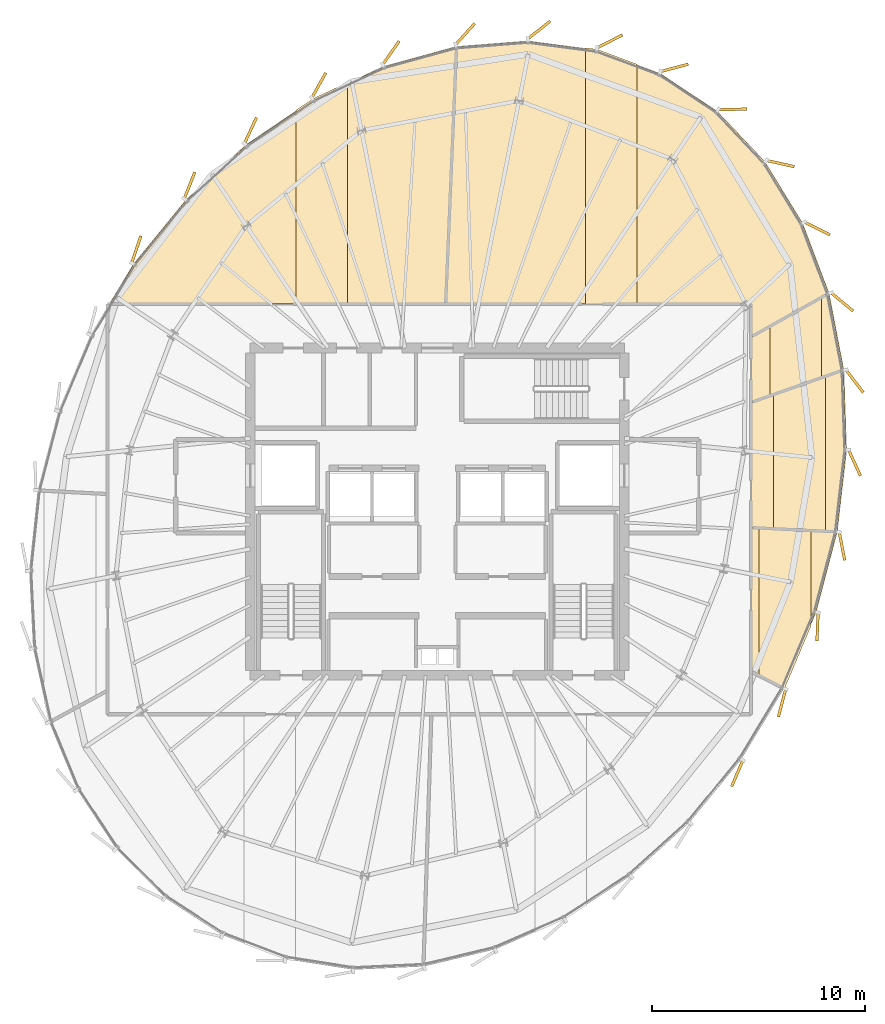
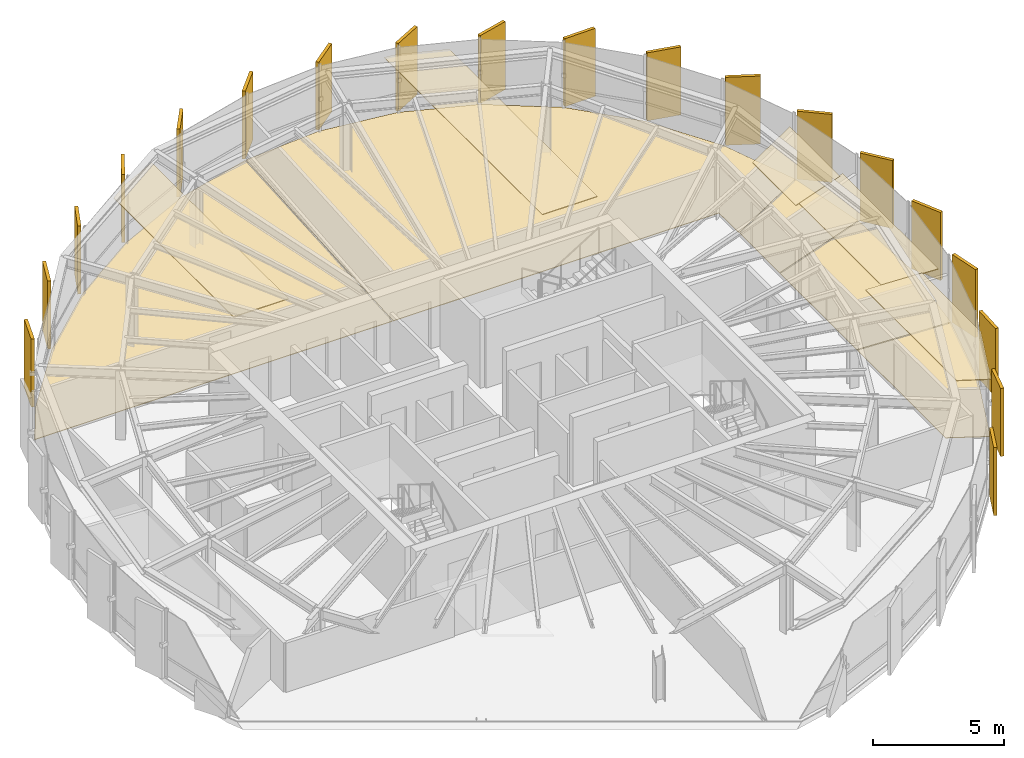
# One storey, part 31 of 31: 29 coverings.
"""IFC4 building model written with IfcOpenShell, lengths in metres."""

import ifcopenshell
import ifcopenshell.guid

model = None  # the IFC model being written
_history = None  # IfcOwnerHistory: only IFC2X3 demands one
_inside = {}  # id of a spatial element -> (the spatial element, [elements in it])
_under = {}  # id of a project, library or spatial element -> (it, [spatial elements below it])
_declared = {}  # id of a project -> (the project, [libraries it declares])
_typed = {}  # id of a type object -> (the type object, [elements of that type])
_made_of = {}  # id of a material, layer set ... -> (it, [elements and type objects made of it])


def new_model(schema):
    """Start an empty IFC model of exactly this schema.

    Asked for "IFC4X3", IfcOpenShell would pick the latest addendum, in which some entities
    have other attributes; the version numbers below select the first issue.
    IFC2X3 requires an IfcOwnerHistory on every rooted entity: one is made here for all.
    """
    global model, _history
    if schema == "IFC4X3":
        model = ifcopenshell.file(schema_version=(4, 3, 0, 0))
    else:
        model = ifcopenshell.file(schema=schema)
    _inside.clear()
    _under.clear()
    _declared.clear()
    _typed.clear()
    _made_of.clear()
    _history = None
    if model.schema == "IFC2X3":
        org = make("IfcOrganization", Name="unknown")
        user = make(
            "IfcPersonAndOrganization",
            ThePerson=make("IfcPerson", FamilyName="unknown"),
            TheOrganization=org,
        )
        app = make(
            "IfcApplication",
            ApplicationDeveloper=org,
            Version="unknown",
            ApplicationFullName="unknown",
            ApplicationIdentifier="unknown",
        )
        _history = make(
            "IfcOwnerHistory",
            OwningUser=user,
            OwningApplication=app,
            ChangeAction="ADDED",
            CreationDate=0,
        )
    return model


def make(cls, **values):
    """One entity of the class cls with the attributes given. An attribute that is None is left unset."""
    return model.create_entity(
        cls, **{name: value for name, value in values.items() if value is not None}
    )


def rooted(cls, **values):
    """An entity with a GlobalId (a new one), such as an element, a storey or a relation."""
    return make(cls, GlobalId=ifcopenshell.guid.new(), OwnerHistory=_history, **values)


def si_unit(unit_type, name, prefix=None):
    """IfcSIUnit, for example si_unit("LENGTHUNIT", "METRE", prefix="MILLI")."""
    return make("IfcSIUnit", UnitType=unit_type, Prefix=prefix, Name=name)


def assignment(units):
    """IfcUnitAssignment: the units of a project."""
    return None if units is None else make("IfcUnitAssignment", Units=units)


def point(xyz):
    """IfcCartesianPoint."""
    return None if xyz is None else make("IfcCartesianPoint", Coordinates=xyz)


def direction(xyz):
    """IfcDirection."""
    return None if xyz is None else make("IfcDirection", DirectionRatios=xyz)


def frame(location, z_axis=None, x_axis=None):
    """IfcAxis2Placement3D, a coordinate frame: its origin and axes. An axis left out is left unset."""
    return make(
        "IfcAxis2Placement3D",
        Location=point(location),
        Axis=direction(z_axis),
        RefDirection=direction(x_axis),
    )


def frame_2d(location, x_axis=None):
    """IfcAxis2Placement2D, a coordinate frame in the plane: its origin and x axis."""
    return make(
        "IfcAxis2Placement2D", Location=point(location), RefDirection=direction(x_axis)
    )


def origin():
    """The frame at (0, 0, 0) with its axes left unset."""
    return frame((0.0, 0.0, 0.0))


def origin_2d():
    """The frame at (0, 0) in the plane with its x axis left unset."""
    return frame_2d((0.0, 0.0))


def place(relative_to, where):
    """IfcLocalPlacement: puts the frame where relative to a parent placement (None: the world)."""
    return make(
        "IfcLocalPlacement", PlacementRelTo=relative_to, RelativePlacement=where
    )


def context(
    kind, dimensions, precision=None, world=None, true_north=None, identifier=None
):
    """IfcGeometricRepresentationContext, for example the 3D "Model" context."""
    return make(
        "IfcGeometricRepresentationContext",
        ContextIdentifier=identifier,
        ContextType=kind,
        CoordinateSpaceDimension=dimensions,
        Precision=precision,
        WorldCoordinateSystem=world,
        TrueNorth=true_north,
    )


def subcontext(parent, identifier, kind, view, scale=None):
    """IfcGeometricRepresentationSubContext, for example "Body" below "Model"."""
    return make(
        "IfcGeometricRepresentationSubContext",
        ContextIdentifier=identifier,
        ContextType=kind,
        ParentContext=parent,
        TargetScale=scale,
        TargetView=view,
    )


def project(units=None, contexts=None):
    """IfcProject with its units and contexts."""
    return rooted(
        "IfcProject",
        Name="project",
        RepresentationContexts=contexts,
        UnitsInContext=assignment(units),
    )


def spatial(cls, under=None, at=None, **own):
    """A site, building, storey or space (cls), placed at a placement, below another one or the project."""
    s = rooted(cls, ObjectPlacement=at, **own)
    if under is not None:
        _under.setdefault(under.id(), (under, []))[1].append(s)
    return s


def polyline(points):
    """IfcPolyline through the points."""
    return make("IfcPolyline", Points=[point(p) for p in points])


def profile(cls, at=None, kind="AREA", **sizes):
    """A parametric profile (cls). Its sizes go by their IFC names, for example OverallWidth=200.0."""
    return make(cls, ProfileType=kind, Position=at, **sizes)


def rectangle(**sizes):
    """IfcRectangleProfileDef."""
    return profile("IfcRectangleProfileDef", **sizes)


def outline(outer, holes=None, kind="AREA"):
    """IfcArbitraryClosedProfileDef: a profile drawn as a closed curve; with holes, ...WithVoids."""
    if holes is None:
        return make("IfcArbitraryClosedProfileDef", ProfileType=kind, OuterCurve=outer)
    return make(
        "IfcArbitraryProfileDefWithVoids",
        ProfileType=kind,
        OuterCurve=outer,
        InnerCurves=holes,
    )


def extrude(swept, where, along, depth):
    """IfcExtrudedAreaSolid: the profile swept, set in the frame where, extruded along a direction by depth."""
    return make(
        "IfcExtrudedAreaSolid",
        SweptArea=swept,
        Position=where,
        ExtrudedDirection=direction(along),
        Depth=depth,
    )


def shape(context_of_items, identifier, shape_type, items):
    """IfcShapeRepresentation: the items that make up one representation, for example the "Body"."""
    return make(
        "IfcShapeRepresentation",
        ContextOfItems=context_of_items,
        RepresentationIdentifier=identifier,
        RepresentationType=shape_type,
        Items=items,
    )


def source(mapping_origin, context_of_items, identifier, shape_type, items):
    """IfcRepresentationMap: a shape defined once, which mapped items show again and again."""
    return make(
        "IfcRepresentationMap",
        MappingOrigin=mapping_origin,
        MappedRepresentation=shape(context_of_items, identifier, shape_type, items),
    )


def transform(
    local_origin,
    x_axis=None,
    y_axis=None,
    z_axis=None,
    scale=None,
    scale2=None,
    scale3=None,
    uniform=True,
):
    """IfcCartesianTransformationOperator3D, or its non-uniform kind. x_axis, y_axis, z_axis: its Axis1, 2, 3."""
    if uniform:
        return make(
            "IfcCartesianTransformationOperator3D",
            Axis1=direction(x_axis),
            Axis2=direction(y_axis),
            LocalOrigin=point(local_origin),
            Scale=scale,
            Axis3=direction(z_axis),
        )
    return make(
        "IfcCartesianTransformationOperator3DnonUniform",
        Axis1=direction(x_axis),
        Axis2=direction(y_axis),
        LocalOrigin=point(local_origin),
        Scale=scale,
        Axis3=direction(z_axis),
        Scale2=scale2,
        Scale3=scale3,
    )


def mapped(mapping_source, mapping_target):
    """IfcMappedItem: shows the shape of a source again, moved by a transform."""
    return make(
        "IfcMappedItem", MappingSource=mapping_source, MappingTarget=mapping_target
    )


def material(Name=None, Category=None):
    """IfcMaterial."""
    return make("IfcMaterial", Name=Name, Category=Category)


def layer(
    of_material, thickness, ventilated=None, Name=None, Category=None, Priority=None
):
    """IfcMaterialLayer: one layer of a wall or slab, of a material (None: an air gap)."""
    return make(
        "IfcMaterialLayer",
        Material=of_material,
        LayerThickness=thickness,
        IsVentilated=ventilated,
        Name=Name,
        Category=Category,
        Priority=Priority,
    )


def layer_set(layers, Name=None):
    """IfcMaterialLayerSet."""
    return make("IfcMaterialLayerSet", MaterialLayers=layers, LayerSetName=Name)


def made_of(thing, what):
    """Note that an element or type object is made of a material, layer set ...; save() writes the relation."""
    if what is not None:
        _made_of.setdefault(what.id(), (what, []))[1].append(thing)
    return thing


def type_object(cls, material=None, **own):
    """A type object (cls), such as IfcWallType, which elements share."""
    return made_of(rooted(cls, **own), material)


def element(
    cls,
    number,
    at=None,
    inside=None,
    cuts=None,
    type_object=None,
    material=None,
    context=None,
    identifier="Body",
    shape_type=None,
    held_by="IfcProductDefinitionShape",
    body=None,
    shapes=None,
    **own,
):
    """One element of the class cls, such as IfcWall. Its Tag is "e" and its number.

    at: its placement. inside: the storey or other place that contains it. cuts: it is an
    opening in that element (IfcRelVoidsElement). A single representation is given by context,
    identifier, shape_type and body (its items); several are given by shapes. held_by: the class
    of the entity that holds the representations. save() writes the other relations.
    """
    e = rooted(cls, Tag="e%d" % number, ObjectPlacement=at, **own)
    if body is not None:
        shapes = [shape(context, identifier, shape_type, body)]
    if shapes is not None:
        e.Representation = make(held_by, Representations=shapes)
    if inside is not None:
        _inside.setdefault(inside.id(), (inside, []))[1].append(e)
    if cuts is not None:
        rooted(
            "IfcRelVoidsElement", RelatingBuildingElement=cuts, RelatedOpeningElement=e
        )
    if type_object is not None:
        _typed.setdefault(type_object.id(), (type_object, []))[1].append(e)
    return made_of(e, material)


def aggregate(whole, parts):
    """IfcRelAggregates: a whole, such as a stair, and the parts it consists of."""
    return rooted("IfcRelAggregates", RelatingObject=whole, RelatedObjects=parts)


def save(model, path):
    """Write the relations noted so far, then the file.

    IfcRelAggregates (storeys below a building ...), IfcRelContainedInSpatialStructure (elements
    in a storey), IfcRelDefinesByType, IfcRelAssociatesMaterial and IfcRelDeclares: one each for
    every whole, place, type object, material and project.
    """
    for whole, parts in _under.values():
        aggregate(whole, parts)
    for where, things in _inside.values():
        rooted(
            "IfcRelContainedInSpatialStructure",
            RelatedElements=things,
            RelatingStructure=where,
        )
    for kind, things in _typed.values():
        rooted("IfcRelDefinesByType", RelatedObjects=things, RelatingType=kind)
    for what, things in _made_of.values():
        rooted("IfcRelAssociatesMaterial", RelatedObjects=things, RelatingMaterial=what)
    for by, libraries in _declared.values():
        rooted("IfcRelDeclares", RelatingContext=by, RelatedDefinitions=libraries)
    model.write(path)


model = new_model("IFC4")

# Units and contexts
model_context = context("Model", 3, precision=1e-05, world=origin(), true_north=direction((0.0, 1.0)))
body_context = subcontext(model_context, "Body", "Model", "MODEL_VIEW")
ifc_project = project(units=[si_unit("LENGTHUNIT", "METRE"), si_unit("AREAUNIT", "SQUARE_METRE"), si_unit("VOLUMEUNIT", "CUBIC_METRE"), si_unit("PLANEANGLEUNIT", "RADIAN"), si_unit("MASSUNIT", "GRAM", prefix="KILO"), si_unit("THERMODYNAMICTEMPERATUREUNIT", "KELVIN")], contexts=[model_context])

# Site, building, storey
site_placement = place(None, origin())
site = spatial("IfcSite", under=ifc_project, at=site_placement, CompositionType="ELEMENT")
building_placement = place(site_placement, origin())
building = spatial("IfcBuilding", under=site, at=building_placement, Name="Kethvar Cultural Tower", CompositionType="ELEMENT")
storey_placement = place(building_placement, frame((0.0, 0.0, 287.050048828125)))
storey = spatial("IfcBuildingStorey", under=building, at=storey_placement, Name="L76", CompositionType="ELEMENT", Elevation=287.050048828125)

# Coverings
ifc_material_1 = material(Name="Acoustic Mineral Fibre Ceiling")
ifc_layer_1 = layer(ifc_material_1, 0.0400390625, Name="Acoustic Mineral Fibre Ceiling")
ifc_layer_set_1 = layer_set([ifc_layer_1], Name="Acoustic Mineral Fibre Ceiling (40 mm)")
covering_type_1 = type_object("IfcCoveringType", Name="CV-ACOUSTIC-CEIL", PredefinedType="CEILING", material=ifc_layer_set_1)
covering_1_placement = place(storey_placement, frame((0.0, 0.0, 2.669921875)))
element("IfcCovering", 1, at=covering_1_placement, inside=storey, type_object=covering_type_1, Name="L76 Room 03 Acoustic Ceiling Panel", PredefinedType="CEILING", context=body_context, shape_type="SweptSolid", body=[
    extrude(outline(polyline([(63.135498046875, 19.478271484375), (61.94140625, 20.0625), (61.94140625, 27.051025390625), (64.37158203125, 26.927734375), (64.37158203125, 22.403076171875), (63.135498046875, 19.478271484375)])), origin(), (0.0, 0.0, 1.0), 0.0400390625),
])
covering_2_placement = place(storey_placement, frame((0.0, 0.0, 2.669921875)))
element("IfcCovering", 2, at=covering_2_placement, inside=storey, type_object=covering_type_1, Name="L76 Room 04 Acoustic Ceiling Panel", PredefinedType="CEILING", context=body_context, shape_type="SweptSolid", body=[
    extrude(outline(polyline([(62.625, 26.976318359375), (62.625, 33.329345703125), (65.054931640625, 34.175048828125), (65.054931640625, 26.852783203125), (62.625, 26.976318359375)])), origin(), (0.0, 0.0, 1.0), 0.0400390625),
])
covering_3_placement = place(storey_placement, frame((0.0, 0.0, 2.669921875)))
element("IfcCovering", 3, at=covering_3_placement, inside=storey, type_object=covering_type_1, Name="L76 Room 05 Acoustic Ceiling Panel", PredefinedType="CEILING", context=body_context, shape_type="SweptSolid", body=[
    extrude(outline(polyline([(62.447021484375, 33.22509765625), (62.447021484375, 36.53515625), (64.877197265625, 37.88818359375), (64.877197265625, 34.07080078125), (62.447021484375, 33.22509765625)])), origin(), (0.0, 0.0, 1.0), 0.0400390625),
])
covering_4_placement = place(storey_placement, frame((0.0, 0.0, 2.669921875)))
element("IfcCovering", 4, at=covering_4_placement, inside=storey, type_object=covering_type_1, Name="L76 Room 06 Acoustic Ceiling Panel", PredefinedType="CEILING", context=body_context, shape_type="SweptSolid", body=[
    extrude(outline(polyline([(54.306396484375, 49.551513671875), (56.196533203125, 48.85009765625), (56.196533203125, 37.5419921875), (53.7666015625, 37.5419921875), (53.7666015625, 49.622314453125), (54.306396484375, 49.551513671875)])), origin(), (0.0, 0.0, 1.0), 0.0400390625),
])
covering_5_placement = place(storey_placement, frame((0.0, 0.0, 2.669921875)))
element("IfcCovering", 5, at=covering_5_placement, inside=storey, type_object=covering_type_1, Name="L76 Room 07 Acoustic Ceiling Panel", PredefinedType="CEILING", context=body_context, shape_type="SweptSolid", body=[
    extrude(outline(polyline([(40.928466796875, 47.2158203125), (42.57666015625, 47.988037109375), (42.57666015625, 37.5419921875), (40.146484375, 37.5419921875), (40.146484375, 46.68701171875), (40.928466796875, 47.2158203125)])), origin(), (0.0, 0.0, 1.0), 0.0400390625),
])
ifc_material_2 = material(Name="Architectural Oak Timber", Category="wood")
ifc_layer_2 = layer(ifc_material_2, 0.02490234375, Name="Architectural Oak Timber", Category="wood")
ifc_layer_set_2 = layer_set([ifc_layer_2], Name="Architectural Oak Timber (25 mm)")
covering_type_2 = type_object("IfcCoveringType", Name="CV-OAK-FLOOR", PredefinedType="FLOORING", material=ifc_layer_set_2)
covering_6_placement = place(storey_placement, origin())
element("IfcCovering", 6, at=covering_6_placement, inside=storey, type_object=covering_type_2, Name="L76 Room 03 Floor Finish", PredefinedType="FLOORING", context=body_context, shape_type="SweptSolid", body=[
    extrude(outline(polyline([(64.615966796875, 23.083984375), (63.10693359375, 19.513671875), (61.583984375, 20.28955078125), (61.583984375, 27.029296875), (65.60107421875, 26.8251953125), (64.615966796875, 23.083984375)])), origin(), (0.0, 0.0, 1.0), 0.02490234375),
])
covering_7_placement = place(storey_placement, origin())
element("IfcCovering", 7, at=covering_7_placement, inside=storey, type_object=covering_type_2, Name="L76 Room 04 Floor Finish", PredefinedType="FLOORING", context=body_context, shape_type="SweptSolid", body=[
    extrude(outline(polyline([(66.046142578125, 30.678955078125), (65.60888671875, 26.86474609375), (61.583984375, 27.069091796875), (61.583984375, 32.924560546875), (65.919921875, 34.43359375), (66.046142578125, 30.678955078125)])), origin(), (0.0, 0.0, 1.0), 0.02490234375),
])
covering_8_placement = place(storey_placement, origin())
element("IfcCovering", 8, at=covering_8_placement, inside=storey, type_object=covering_type_2, Name="L76 Room 05 Floor Finish", PredefinedType="FLOORING", context=body_context, shape_type="SweptSolid", body=[
    extrude(outline(polyline([(65.916015625, 34.474609375), (61.583984375, 32.966796875), (61.583984375, 36.0087890625), (65.2294921875, 38.038818359375), (65.916015625, 34.474609375)])), origin(), (0.0, 0.0, 1.0), 0.02490234375),
])
covering_9_placement = place(storey_placement, origin())
element("IfcCovering", 9, at=covering_9_placement, inside=storey, type_object=covering_type_2, Name="L76 Room 06 Floor Finish", PredefinedType="FLOORING", context=body_context, shape_type="SweptSolid", body=[
    extrude(outline(polyline([(51.059814453125, 49.9375), (54.299072265625, 49.51220703125), (57.2958984375, 48.3994140625), (59.957763671875, 46.62890625), (62.205810546875, 44.25830078125), (63.97705078125, 41.369384765625), (65.21923828125, 38.07861328125), (61.583984375, 36.0546875), (61.56591796875, 37.581787109375), (47.21240234375, 37.58203125), (47.697265625, 49.673583984375), (51.059814453125, 49.9375)])), origin(), (0.0, 0.0, 1.0), 0.02490234375),
])
covering_10_placement = place(storey_placement, origin())
element("IfcCovering", 10, at=covering_10_placement, inside=storey, type_object=covering_type_2, Name="L76 Room 07 Floor Finish", PredefinedType="FLOORING", context=body_context, shape_type="SweptSolid", body=[
    extrude(outline(polyline([(34.97509765625, 42.455078125), (37.81640625, 45.0625), (40.94970703125, 47.181884765625), (44.274169921875, 48.739013671875), (47.656982421875, 49.665771484375), (47.17236328125, 37.58203125), (31.3916015625, 37.58203125), (32.512939453125, 39.44140625), (34.97509765625, 42.455078125)])), origin(), (0.0, 0.0, 1.0), 0.02490234375),
])
ifc_material_3 = material(Name="Extruded Architectural Terracotta", Category="masonry")
ifc_layer_3 = layer(ifc_material_3, 0.135009765625, Name="Extruded Architectural Terracotta", Category="masonry")
ifc_layer_set_3 = layer_set([ifc_layer_3], Name="Extruded Architectural Terracotta (135 mm)")
covering_type_3 = type_object("IfcCoveringType", Name="Terracotta Facade Fin FIN-03", PredefinedType="CLADDING", material=ifc_layer_set_3)
shared_shape = source(origin(), body_context, "Body", "SweptSolid", [
    extrude(rectangle(XDim=1.35009765625, YDim=0.135009765625, at=origin_2d()), origin(), (0.0, 0.0, 1.0), 3.169921875),
])
for number, where, z_axis, x_axis, name in (
    (11, (57.9521484375, 48.676025390625, 0.02001953125), (0.0, 0.0, 1.0), (0.967223448927, 0.253926760789, 0.0), "L76 Vertical Terracotta Fin 1.1"),
    (12, (54.9140625, 49.9208984375, 0.02001953125), (0.0, 0.0, 1.0), (0.888537169673, 0.458804640463, 0.0), "L76 Vertical Terracotta Fin 1.2"),
    (13, (51.583251953125, 50.456298828125, 0.02001953125), (0.0, 0.0, 1.0), (0.784126909266, 0.620600507707, 0.0), "L76 Vertical Terracotta Fin 1.3"),
    (14, (48.112060546875, 50.267822265625, 0.02001953125), (0.0, 0.0, 1.0), (0.674431262084, 0.738337641411, 0.0), "L76 Vertical Terracotta Fin 1.4"),
    (15, (44.62060546875, 49.383056640625, 0.02001953125), (0.0, 0.0, 1.0), (0.573862339406, 0.818951778441, 0.0), "L76 Vertical Terracotta Fin 1.5"),
    (16, (41.22509765625, 47.8544921875, 0.02001953125), (0.0, 0.0, 1.0), (0.489078012338, 0.872240046001, 0.0), "L76 Vertical Terracotta Fin 1.6"),
    (17, (38.0087890625, 45.724853515625, 0.02001953125), (0.0, 0.0, 1.0), (0.422301874901, 0.906455253421, 0.0), "L76 Vertical Terracotta Fin 2.1"),
    (18, (35.146484375, 43.1474609375, 0.02001953125), (0.0, 0.0, 1.0), (0.367475356588, 0.930033258707, 0.0), "L76 Vertical Terracotta Fin 2.2"),
    (19, (32.642578125, 40.13427734375, 0.02001953125), (0.0, 0.0, 1.0), (0.318132103987, 0.948046393597, 0.0), "L76 Vertical Terracotta Fin 2.3"),
    (20, (60.911865234375, 15.493896484375, 0.02001953125), (0.0, 0.0, 1.0), (-0.392337116604, -0.919821497322, 0.0), "L76 Vertical Terracotta Fin 5.3"),
    (21, (63.01708984375, 18.802490234375, 0.02001953125), (0.0, 0.0, 1.0), (-0.257301453681, -0.966331186464, 0.0), "L76 Vertical Terracotta Fin 5.4"),
    (22, (64.68603515625, 22.3828125, 0.02001953125), (0.0, 0.0, 1.0), (-0.038911016641, -0.999242679625, 0.0), "L76 Vertical Terracotta Fin 5.5"),
    (23, (65.83642578125, 26.172607421875, 0.02001953125), (0.0, 0.0, 1.0), (0.193035743749, -0.981191725217, 0.0), "L76 Vertical Terracotta Fin 5.6"),
    (24, (66.424560546875, 30.102294921875, 0.02001953125), (0.0, 0.0, 1.0), (0.414375580993, -0.910105970685, 0.0), "L76 Vertical Terracotta Fin 6.1"),
    (25, (66.4287109375, 33.94140625, 0.02001953125), (0.0, 0.0, 1.0), (0.60917674438, -0.793034484816, 0.0), "L76 Vertical Terracotta Fin 6.2"),
    (26, (65.840087890625, 37.6689453125, 0.02001953125), (0.0, 0.0, 1.0), (0.772179372467, -0.635404608684, 0.0), "L76 Vertical Terracotta Fin 6.3"),
    (27, (64.668701171875, 41.12158203125, 0.02001953125), (0.0, 0.0, 1.0), (0.897027074767, -0.441975595633, 0.0), "L76 Vertical Terracotta Fin 6.4"),
    (28, (62.9384765625, 44.177734375, 0.02001953125), (0.0, 0.0, 1.0), (0.975726024471, -0.218994806262, 0.0), "L76 Vertical Terracotta Fin 6.5"),
    (29, (60.689697265625, 46.724609375, 0.02001953125), (0.0, 0.0, 1.0), (0.9997950604, 0.020244436248, 0.0), "L76 Vertical Terracotta Fin 6.6"),
):
    element("IfcCovering", number, at=place(storey_placement, frame(where, z_axis=z_axis, x_axis=x_axis)), inside=storey, type_object=covering_type_3, Name=name, PredefinedType="CLADDING", context=body_context, shape_type="MappedRepresentation", body=[
        mapped(shared_shape, transform((0.0, 0.0, 0.0), scale=1.0)),
    ])

save(model, "model.ifc")
